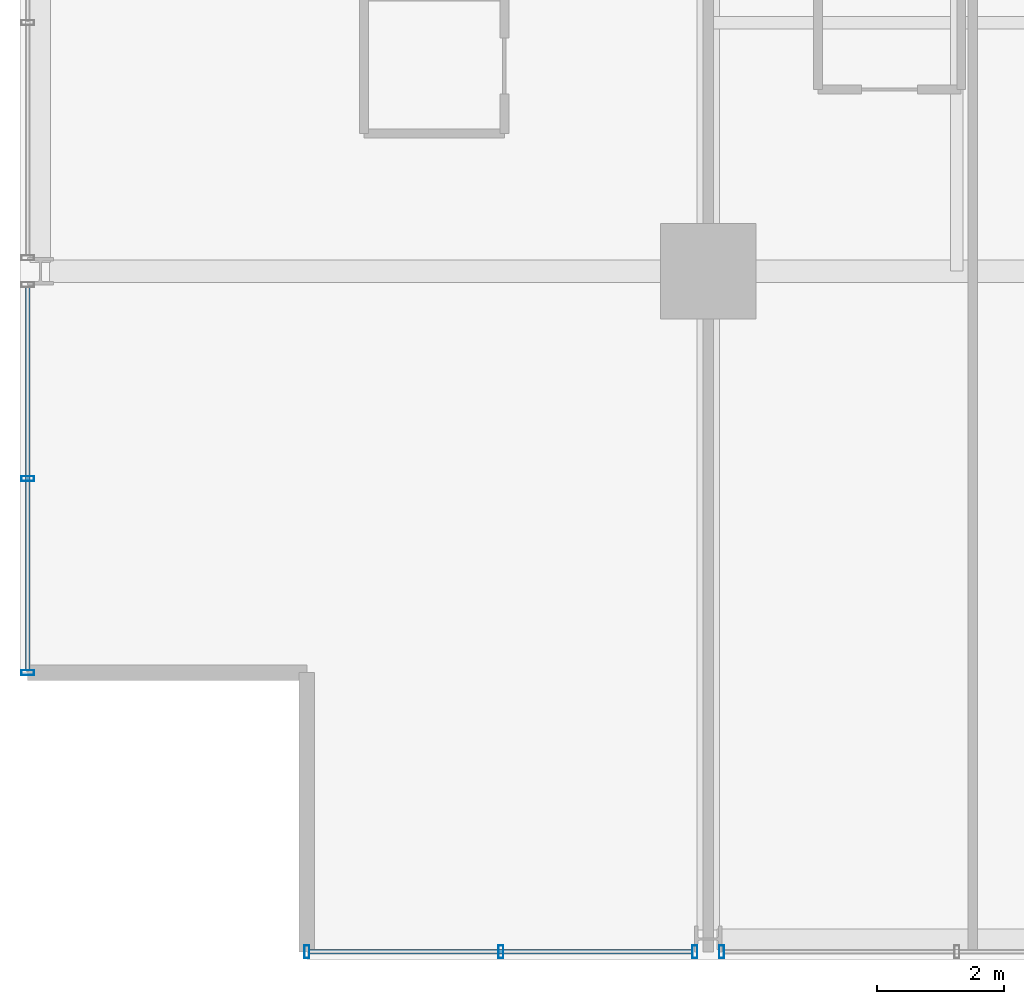
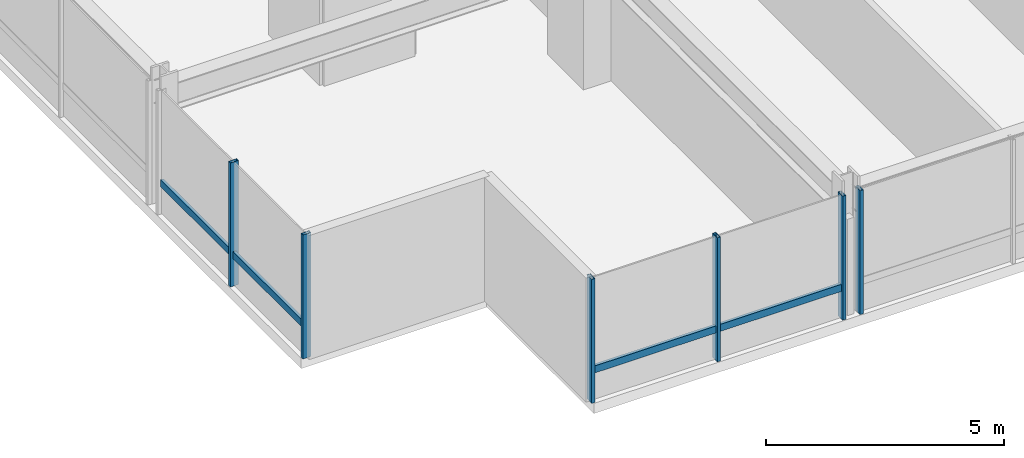
# One storey, part 2 of 35: 8 members, 3 elements without a shape of their own.
"""IFC4 building model written with IfcOpenShell, lengths in metres."""

from ifc_helpers import new_model, si_unit, direction, frame, origin, origin_2d, place, context, subcontext, project, spatial, hollow_rectangle, extrude, material, layer, layer_set, material_profile, profile_set, type_object, element, aggregate, save


model = new_model("IFC4")

# Units and contexts
model_context = context("Model", 3, precision=1e-05, world=origin(), true_north=direction((0.0, 1.0)))
body_context = subcontext(model_context, "Body", "Model", "MODEL_VIEW")
ifc_project = project(units=[si_unit("LENGTHUNIT", "METRE"), si_unit("AREAUNIT", "SQUARE_METRE"), si_unit("VOLUMEUNIT", "CUBIC_METRE"), si_unit("PLANEANGLEUNIT", "RADIAN"), si_unit("MASSUNIT", "GRAM", prefix="KILO")], contexts=[model_context])

# Site, building, storey
site_placement = place(None, origin())
site = spatial("IfcSite", under=ifc_project, at=site_placement, CompositionType="ELEMENT")
building_placement = place(site_placement, origin())
building = spatial("IfcBuilding", under=site, at=building_placement, Name="Drelvath Grand Hotel", CompositionType="ELEMENT")
storey_placement = place(building_placement, frame((0.0, 0.0, 137.300048828125)))
storey = spatial("IfcBuildingStorey", under=building, at=storey_placement, Name="L35", CompositionType="ELEMENT", Elevation=137.300048828125)

# Curtain wall, member
ifc_material = material(Name="Champagne Bronze Anodised Aluminium Frame", Category="aluminium")
ifc_layer = layer(ifc_material, 0.199951171875)
ifc_layer_set = layer_set([ifc_layer], Name="Champagne Bronze Anodised Aluminium Frame")
curtain_wall_type = type_object("IfcCurtainWallType", Name="Stick Curtain Wall CW-03 Champagne Bronze Mid-Rise", PredefinedType="NOTDEFINED", material=ifc_layer_set)
curtain_wall_1_placement = place(storey_placement, origin())
curtain_wall_1 = element("IfcCurtainWall", 1, at=curtain_wall_1_placement, inside=storey, type_object=curtain_wall_type, Name="L35 CW-03 Curtain Wall CW03-L35-WS1", PredefinedType="NOTDEFINED")
ifc_material_profile_1 = material_profile(ifc_material, hollow_rectangle(XDim=0.074951171875, YDim=0.179931640625, WallThickness=0.0048828125, at=origin_2d()), Name="HSS180X75X5")
ifc_profile_set_1 = profile_set([ifc_material_profile_1], Name="Champagne Bronze Anodised Aluminium Frame")
member_type_1 = type_object("IfcMemberType", Name="Curtain Wall Horizontal Transom CW-03 HSS180X75X5", PredefinedType="USERDEFINED", material=ifc_profile_set_1)
member_1_placement = place(storey_placement, frame((-26.8798828125, 4.5400390625, 0.794921875), z_axis=(0.0, 1.0, 0.0), x_axis=(-1.0, 0.0, 0.0)))
member_1 = element("IfcMember", 2, at=member_1_placement, type_object=member_type_1, Name="CW03-L35-WS1 Sill Transom", ObjectType="TRANSOM", PredefinedType="USERDEFINED", context=body_context, shape_type="SweptSolid", body=[
    extrude(hollow_rectangle(XDim=0.074951171875, YDim=0.179931640625, WallThickness=0.0048828125, at=origin_2d()), origin(), (0.0, 0.0, 1.0), 6.010498046875),
])

curtain_wall_2_placement = place(storey_placement, origin())
curtain_wall_2 = element("IfcCurtainWall", 3, at=curtain_wall_2_placement, inside=storey, type_object=curtain_wall_type, Name="L35 CW-03 Curtain Wall CW03-L35-SW1", PredefinedType="NOTDEFINED")
member_2_placement = place(storey_placement, frame((-16.449462890625, 0.1201171875, 0.794921875), z_axis=(-1.0, 0.0, 0.0), x_axis=(0.0, -1.0, 0.0)))
member_2 = element("IfcMember", 4, at=member_2_placement, type_object=member_type_1, Name="CW03-L35-SW1 Sill Transom", ObjectType="TRANSOM", PredefinedType="USERDEFINED", context=body_context, shape_type="SweptSolid", body=[
    extrude(hollow_rectangle(XDim=0.074951171875, YDim=0.179931640625, WallThickness=0.0048828125, at=origin_2d()), origin(), (0.0, 0.0, 1.0), 6.010498046875),
])

# Member
ifc_material_profile_2 = material_profile(ifc_material, hollow_rectangle(XDim=0.080078125, YDim=0.199951171875, WallThickness=0.0048828125, at=origin_2d()), Name="HSS200X80X5")
ifc_profile_set_2 = profile_set([ifc_material_profile_2], Name="Champagne Bronze Anodised Aluminium Frame")
member_type_2 = type_object("IfcMemberType", Name="Curtain Wall Vertical Mullion CW-03 HSS200X80X5", PredefinedType="MULLION", material=ifc_profile_set_2)
member_3_placement = place(storey_placement, frame((-26.8798828125, 4.5, 0.0), z_axis=(0.0, 0.0, 1.0), x_axis=(0.0, 1.0, 0.0)))
member_3 = element("IfcMember", 5, at=member_3_placement, type_object=member_type_2, Name="CW03-L35-WS1 Mullion 1", PredefinedType="MULLION", context=body_context, shape_type="SweptSolid", body=[
    extrude(hollow_rectangle(XDim=0.080078125, YDim=0.199951171875, WallThickness=0.0048828125, at=origin_2d()), origin(), (0.0, 0.0, 1.0), 3.179931640625),
])

member_4_placement = place(storey_placement, frame((-26.8798828125, 7.54541015625, 0.0), z_axis=(0.0, 0.0, 1.0), x_axis=(0.0, 1.0, 0.0)))
member_4 = element("IfcMember", 6, at=member_4_placement, type_object=member_type_2, Name="CW03-L35-WS1 Mullion 2", PredefinedType="MULLION", context=body_context, shape_type="SweptSolid", body=[
    extrude(hollow_rectangle(XDim=0.080078125, YDim=0.199951171875, WallThickness=0.0048828125, at=origin_2d()), origin(), (0.0, 0.0, 1.0), 3.179931640625),
])

aggregate(curtain_wall_1, [member_3, member_4, member_1])

member_5_placement = place(storey_placement, frame((-16.409423828125, 0.1201171875, 0.0), z_axis=(0.0, 0.0, 1.0), x_axis=(1.0, 0.0, 0.0)))
member_5 = element("IfcMember", 7, at=member_5_placement, type_object=member_type_2, Name="CW03-L35-SW1 Mullion 1", PredefinedType="MULLION", context=body_context, shape_type="SweptSolid", body=[
    extrude(hollow_rectangle(XDim=0.080078125, YDim=0.199951171875, WallThickness=0.0048828125, at=origin_2d()), origin(), (0.0, 0.0, 1.0), 3.179931640625),
])

member_6_placement = place(storey_placement, frame((-19.45458984375, 0.1201171875, 0.0), z_axis=(0.0, 0.0, 1.0), x_axis=(1.0, 0.0, 0.0)))
member_6 = element("IfcMember", 8, at=member_6_placement, type_object=member_type_2, Name="CW03-L35-SW1 Mullion 2", PredefinedType="MULLION", context=body_context, shape_type="SweptSolid", body=[
    extrude(hollow_rectangle(XDim=0.080078125, YDim=0.199951171875, WallThickness=0.0048828125, at=origin_2d()), origin(), (0.0, 0.0, 1.0), 3.179931640625),
])

member_7_placement = place(storey_placement, frame((-22.5, 0.1201171875, 0.0), z_axis=(0.0, 0.0, 1.0), x_axis=(1.0, 0.0, 0.0)))
member_7 = element("IfcMember", 9, at=member_7_placement, type_object=member_type_2, Name="CW03-L35-SW1 Mullion 3", PredefinedType="MULLION", context=body_context, shape_type="SweptSolid", body=[
    extrude(hollow_rectangle(XDim=0.080078125, YDim=0.199951171875, WallThickness=0.0048828125, at=origin_2d()), origin(), (0.0, 0.0, 1.0), 3.179931640625),
])

aggregate(curtain_wall_2, [member_5, member_6, member_7, member_2])

# Curtain wall, member
curtain_wall_3_placement = place(storey_placement, origin())
curtain_wall_3 = element("IfcCurtainWall", 10, at=curtain_wall_3_placement, inside=storey, type_object=curtain_wall_type, Name="L35 CW-03 Curtain Wall CW03-L35-SW2", PredefinedType="NOTDEFINED")
member_8_placement = place(storey_placement, frame((-15.990478515625, 0.1201171875, 0.0), z_axis=(0.0, 0.0, 1.0), x_axis=(1.0, 0.0, 0.0)))
member_8 = element("IfcMember", 11, at=member_8_placement, type_object=member_type_2, Name="CW03-L35-SW2 Mullion 3", PredefinedType="MULLION", context=body_context, shape_type="SweptSolid", body=[
    extrude(hollow_rectangle(XDim=0.080078125, YDim=0.199951171875, WallThickness=0.0048828125, at=origin_2d()), origin(), (0.0, 0.0, 1.0), 3.179931640625),
])
aggregate(curtain_wall_3, [member_8])

save(model, "model.ifc")
